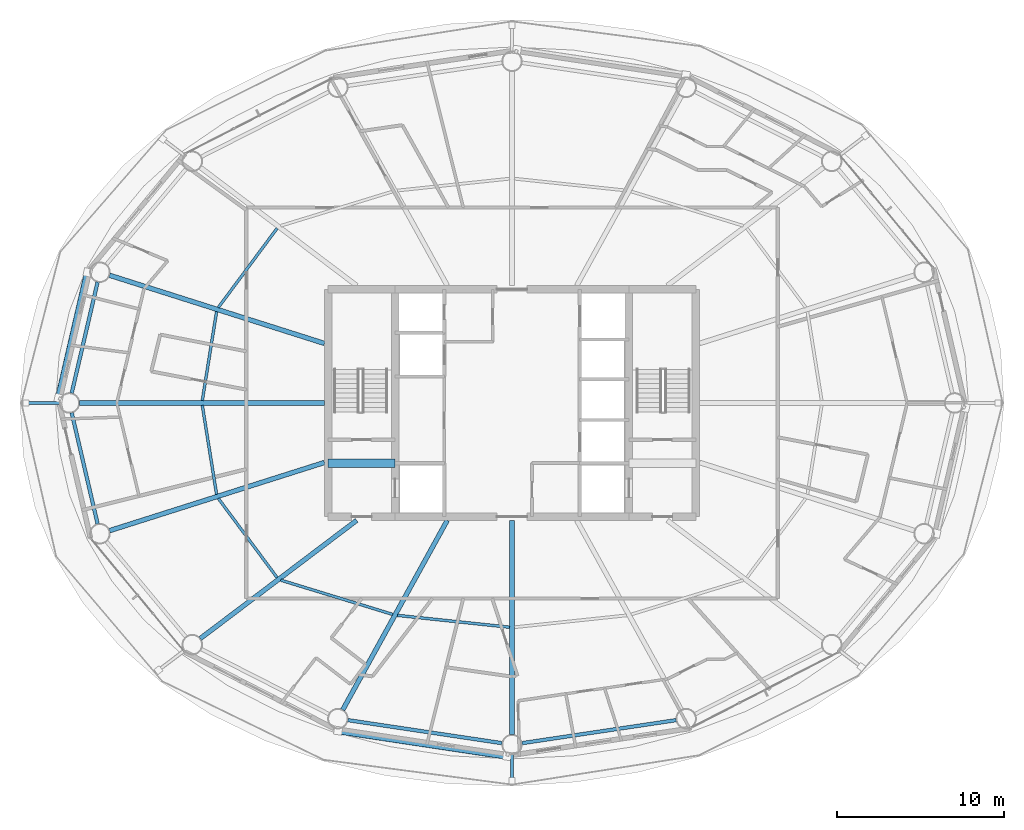
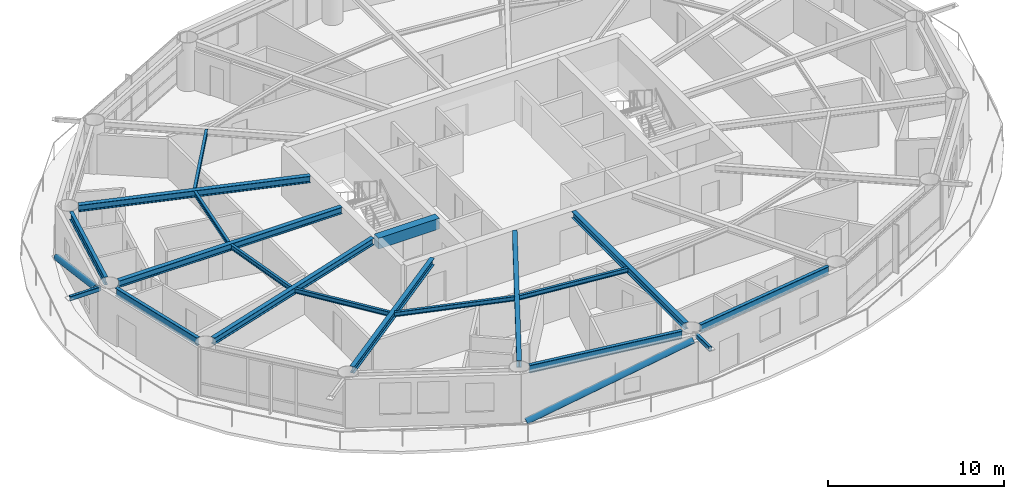
# One storey, part 4 of 28: 17 beams, 4 members.
"""IFC4 building model written with IfcOpenShell, lengths in metres."""

import ifcopenshell
import ifcopenshell.guid

model = None  # the IFC model being written
_history = None  # IfcOwnerHistory: only IFC2X3 demands one
_inside = {}  # id of a spatial element -> (the spatial element, [elements in it])
_under = {}  # id of a project, library or spatial element -> (it, [spatial elements below it])
_declared = {}  # id of a project -> (the project, [libraries it declares])
_typed = {}  # id of a type object -> (the type object, [elements of that type])
_made_of = {}  # id of a material, layer set ... -> (it, [elements and type objects made of it])


def new_model(schema):
    """Start an empty IFC model of exactly this schema.

    Asked for "IFC4X3", IfcOpenShell would pick the latest addendum, in which some entities
    have other attributes; the version numbers below select the first issue.
    IFC2X3 requires an IfcOwnerHistory on every rooted entity: one is made here for all.
    """
    global model, _history
    if schema == "IFC4X3":
        model = ifcopenshell.file(schema_version=(4, 3, 0, 0))
    else:
        model = ifcopenshell.file(schema=schema)
    _inside.clear()
    _under.clear()
    _declared.clear()
    _typed.clear()
    _made_of.clear()
    _history = None
    if model.schema == "IFC2X3":
        org = make("IfcOrganization", Name="unknown")
        user = make(
            "IfcPersonAndOrganization",
            ThePerson=make("IfcPerson", FamilyName="unknown"),
            TheOrganization=org,
        )
        app = make(
            "IfcApplication",
            ApplicationDeveloper=org,
            Version="unknown",
            ApplicationFullName="unknown",
            ApplicationIdentifier="unknown",
        )
        _history = make(
            "IfcOwnerHistory",
            OwningUser=user,
            OwningApplication=app,
            ChangeAction="ADDED",
            CreationDate=0,
        )
    return model


def make(cls, **values):
    """One entity of the class cls with the attributes given. An attribute that is None is left unset."""
    return model.create_entity(
        cls, **{name: value for name, value in values.items() if value is not None}
    )


def rooted(cls, **values):
    """An entity with a GlobalId (a new one), such as an element, a storey or a relation."""
    return make(cls, GlobalId=ifcopenshell.guid.new(), OwnerHistory=_history, **values)


def si_unit(unit_type, name, prefix=None):
    """IfcSIUnit, for example si_unit("LENGTHUNIT", "METRE", prefix="MILLI")."""
    return make("IfcSIUnit", UnitType=unit_type, Prefix=prefix, Name=name)


def assignment(units):
    """IfcUnitAssignment: the units of a project."""
    return None if units is None else make("IfcUnitAssignment", Units=units)


def point(xyz):
    """IfcCartesianPoint."""
    return None if xyz is None else make("IfcCartesianPoint", Coordinates=xyz)


def direction(xyz):
    """IfcDirection."""
    return None if xyz is None else make("IfcDirection", DirectionRatios=xyz)


def frame(location, z_axis=None, x_axis=None):
    """IfcAxis2Placement3D, a coordinate frame: its origin and axes. An axis left out is left unset."""
    return make(
        "IfcAxis2Placement3D",
        Location=point(location),
        Axis=direction(z_axis),
        RefDirection=direction(x_axis),
    )


def frame_2d(location, x_axis=None):
    """IfcAxis2Placement2D, a coordinate frame in the plane: its origin and x axis."""
    return make(
        "IfcAxis2Placement2D", Location=point(location), RefDirection=direction(x_axis)
    )


def origin():
    """The frame at (0, 0, 0) with its axes left unset."""
    return frame((0.0, 0.0, 0.0))


def origin_2d():
    """The frame at (0, 0) in the plane with its x axis left unset."""
    return frame_2d((0.0, 0.0))


def place(relative_to, where):
    """IfcLocalPlacement: puts the frame where relative to a parent placement (None: the world)."""
    return make(
        "IfcLocalPlacement", PlacementRelTo=relative_to, RelativePlacement=where
    )


def context(
    kind, dimensions, precision=None, world=None, true_north=None, identifier=None
):
    """IfcGeometricRepresentationContext, for example the 3D "Model" context."""
    return make(
        "IfcGeometricRepresentationContext",
        ContextIdentifier=identifier,
        ContextType=kind,
        CoordinateSpaceDimension=dimensions,
        Precision=precision,
        WorldCoordinateSystem=world,
        TrueNorth=true_north,
    )


def subcontext(parent, identifier, kind, view, scale=None):
    """IfcGeometricRepresentationSubContext, for example "Body" below "Model"."""
    return make(
        "IfcGeometricRepresentationSubContext",
        ContextIdentifier=identifier,
        ContextType=kind,
        ParentContext=parent,
        TargetScale=scale,
        TargetView=view,
    )


def project(units=None, contexts=None):
    """IfcProject with its units and contexts."""
    return rooted(
        "IfcProject",
        Name="project",
        RepresentationContexts=contexts,
        UnitsInContext=assignment(units),
    )


def spatial(cls, under=None, at=None, **own):
    """A site, building, storey or space (cls), placed at a placement, below another one or the project."""
    s = rooted(cls, ObjectPlacement=at, **own)
    if under is not None:
        _under.setdefault(under.id(), (under, []))[1].append(s)
    return s


def profile(cls, at=None, kind="AREA", **sizes):
    """A parametric profile (cls). Its sizes go by their IFC names, for example OverallWidth=200.0."""
    return make(cls, ProfileType=kind, Position=at, **sizes)


def rectangle(**sizes):
    """IfcRectangleProfileDef."""
    return profile("IfcRectangleProfileDef", **sizes)


def hollow_rectangle(**sizes):
    """IfcRectangleHollowProfileDef."""
    return profile("IfcRectangleHollowProfileDef", **sizes)


def hollow_circle(**sizes):
    """IfcCircleHollowProfileDef."""
    return profile("IfcCircleHollowProfileDef", **sizes)


def i_section(**sizes):
    """IfcIShapeProfileDef."""
    return profile("IfcIShapeProfileDef", **sizes)


def extrude(swept, where, along, depth):
    """IfcExtrudedAreaSolid: the profile swept, set in the frame where, extruded along a direction by depth."""
    return make(
        "IfcExtrudedAreaSolid",
        SweptArea=swept,
        Position=where,
        ExtrudedDirection=direction(along),
        Depth=depth,
    )


def shape(context_of_items, identifier, shape_type, items):
    """IfcShapeRepresentation: the items that make up one representation, for example the "Body"."""
    return make(
        "IfcShapeRepresentation",
        ContextOfItems=context_of_items,
        RepresentationIdentifier=identifier,
        RepresentationType=shape_type,
        Items=items,
    )


def material(Name=None, Category=None):
    """IfcMaterial."""
    return make("IfcMaterial", Name=Name, Category=Category)


def material_profile(
    of_material, cross_section, Name=None, Category=None, Priority=None
):
    """IfcMaterialProfile: a cross section and its material."""
    return make(
        "IfcMaterialProfile",
        Name=Name,
        Material=of_material,
        Profile=cross_section,
        Priority=Priority,
        Category=Category,
    )


def profile_set(profiles, Name=None, composite=None):
    """IfcMaterialProfileSet."""
    return make(
        "IfcMaterialProfileSet",
        Name=Name,
        MaterialProfiles=profiles,
        CompositeProfile=composite,
    )


def made_of(thing, what):
    """Note that an element or type object is made of a material, layer set ...; save() writes the relation."""
    if what is not None:
        _made_of.setdefault(what.id(), (what, []))[1].append(thing)
    return thing


def type_object(cls, material=None, **own):
    """A type object (cls), such as IfcWallType, which elements share."""
    return made_of(rooted(cls, **own), material)


def element(
    cls,
    number,
    at=None,
    inside=None,
    cuts=None,
    type_object=None,
    material=None,
    context=None,
    identifier="Body",
    shape_type=None,
    held_by="IfcProductDefinitionShape",
    body=None,
    shapes=None,
    **own,
):
    """One element of the class cls, such as IfcWall. Its Tag is "e" and its number.

    at: its placement. inside: the storey or other place that contains it. cuts: it is an
    opening in that element (IfcRelVoidsElement). A single representation is given by context,
    identifier, shape_type and body (its items); several are given by shapes. held_by: the class
    of the entity that holds the representations. save() writes the other relations.
    """
    e = rooted(cls, Tag="e%d" % number, ObjectPlacement=at, **own)
    if body is not None:
        shapes = [shape(context, identifier, shape_type, body)]
    if shapes is not None:
        e.Representation = make(held_by, Representations=shapes)
    if inside is not None:
        _inside.setdefault(inside.id(), (inside, []))[1].append(e)
    if cuts is not None:
        rooted(
            "IfcRelVoidsElement", RelatingBuildingElement=cuts, RelatedOpeningElement=e
        )
    if type_object is not None:
        _typed.setdefault(type_object.id(), (type_object, []))[1].append(e)
    return made_of(e, material)


def aggregate(whole, parts):
    """IfcRelAggregates: a whole, such as a stair, and the parts it consists of."""
    return rooted("IfcRelAggregates", RelatingObject=whole, RelatedObjects=parts)


def save(model, path):
    """Write the relations noted so far, then the file.

    IfcRelAggregates (storeys below a building ...), IfcRelContainedInSpatialStructure (elements
    in a storey), IfcRelDefinesByType, IfcRelAssociatesMaterial and IfcRelDeclares: one each for
    every whole, place, type object, material and project.
    """
    for whole, parts in _under.values():
        aggregate(whole, parts)
    for where, things in _inside.values():
        rooted(
            "IfcRelContainedInSpatialStructure",
            RelatedElements=things,
            RelatingStructure=where,
        )
    for kind, things in _typed.values():
        rooted("IfcRelDefinesByType", RelatedObjects=things, RelatingType=kind)
    for what, things in _made_of.values():
        rooted("IfcRelAssociatesMaterial", RelatedObjects=things, RelatingMaterial=what)
    for by, libraries in _declared.values():
        rooted("IfcRelDeclares", RelatingContext=by, RelatedDefinitions=libraries)
    model.write(path)


model = new_model("IFC4")

# Units and contexts
model_context = context("Model", 3, precision=1e-05, world=origin(), true_north=direction((0.0, 1.0)))
body_context = subcontext(model_context, "Body", "Model", "MODEL_VIEW")
ifc_project = project(units=[si_unit("LENGTHUNIT", "METRE"), si_unit("AREAUNIT", "SQUARE_METRE"), si_unit("VOLUMEUNIT", "CUBIC_METRE"), si_unit("PLANEANGLEUNIT", "RADIAN"), si_unit("MASSUNIT", "GRAM", prefix="KILO")], contexts=[model_context])

# Site, building, storey
site_placement = place(None, origin())
site = spatial("IfcSite", under=ifc_project, at=site_placement, CompositionType="ELEMENT")
building_placement = place(site_placement, origin())
building = spatial("IfcBuilding", under=site, at=building_placement, Name="Sarneth Arch Tower", CompositionType="ELEMENT")
storey_placement = place(building_placement, frame((0.0, 0.0, 183.0)))
storey = spatial("IfcBuildingStorey", under=building, at=storey_placement, Name="L46", CompositionType="ELEMENT", Elevation=183.0)

# Beams
ifc_material_1 = material(Name="Steel S355", Category="steel")
ifc_material_profile_1 = material_profile(ifc_material_1, i_section(OverallWidth=0.1669921875, OverallDepth=0.31689453125, WebThickness=0.007568359375, FlangeThickness=0.01318359375, FilletRadius=0.012939453125, at=origin_2d()), Name="W310x52")
ifc_profile_set_1 = profile_set([ifc_material_profile_1], Name="Steel S355")
beam_type_1 = type_object("IfcBeamType", Name="BM-JOIST-310B", PredefinedType="JOIST", material=ifc_profile_set_1)
beam_1_placement = place(storey_placement, frame((33.941162109375, 52.449462890625, 3.221435546875), z_axis=(-0.596190586674, -0.802842938788, 0.0), x_axis=(0.802842938788, -0.596190586674, 0.0)))
element("IfcBeam", 1, at=beam_1_placement, inside=storey, type_object=beam_type_1, Name="L46 Secondary floor joist 07", PredefinedType="JOIST", context=body_context, shape_type="SweptSolid", body=[
    extrude(i_section(OverallWidth=0.1669921875, OverallDepth=0.31689453125, WebThickness=0.007568359375, FlangeThickness=0.01318359375, FilletRadius=0.012939453125, at=origin_2d()), origin(), (0.0, 0.0, 1.0), 5.896484375),
])
for number, where, z_axis, x_axis, name in (
    (2, (30.3203125, 47.46484375, 3.221435546875), (-0.158348792374, -0.987383238643, 0.0), (0.987383238643, -0.158348792374, 0.0), "L46 Secondary floor joist 08"),
    (3, (29.466064453125, 41.86181640625, 3.221435546875), (0.158348792374, -0.987383238643, 0.0), (0.987383238643, 0.158348792374, 0.0), "L46 Secondary floor joist 09"),
):
    element("IfcBeam", number, at=place(storey_placement, frame(where, z_axis=z_axis, x_axis=x_axis)), inside=storey, type_object=beam_type_1, Name=name, PredefinedType="JOIST", context=body_context, shape_type="SweptSolid", body=[
        extrude(i_section(OverallWidth=0.1669921875, OverallDepth=0.31689453125, WebThickness=0.007568359375, FlangeThickness=0.01318359375, FilletRadius=0.012939453125, at=origin_2d()), origin(), (0.0, 0.0, 1.0), 5.394775390625),
    ])
beam_2_placement = place(storey_placement, frame((30.42578125, 36.284423828125, 3.221435546875), z_axis=(0.596190586674, -0.802842938788, 0.0), x_axis=(0.802842938788, 0.596190586674, 0.0)))
element("IfcBeam", 4, at=beam_2_placement, inside=storey, type_object=beam_type_1, Name="L46 Secondary floor joist 10", PredefinedType="JOIST", context=body_context, shape_type="SweptSolid", body=[
    extrude(i_section(OverallWidth=0.1669921875, OverallDepth=0.31689453125, WebThickness=0.007568359375, FlangeThickness=0.01318359375, FilletRadius=0.012939453125, at=origin_2d()), origin(), (0.0, 0.0, 1.0), 5.896484375),
])
beam_3_placement = place(storey_placement, frame((34.15869140625, 31.397216796875, 3.221435546875), z_axis=(0.956178669891, -0.292783796076, 0.0), x_axis=(0.292783796076, 0.956178669891, 0.0)))
element("IfcBeam", 5, at=beam_3_placement, inside=storey, type_object=beam_type_1, Name="L46 Secondary floor joist 11", PredefinedType="JOIST", context=body_context, shape_type="SweptSolid", body=[
    extrude(i_section(OverallWidth=0.1669921875, OverallDepth=0.31689453125, WebThickness=0.007568359375, FlangeThickness=0.01318359375, FilletRadius=0.012939453125, at=origin_2d()), origin(), (0.0, 0.0, 1.0), 7.010986328125),
])
beam_4_placement = place(storey_placement, frame((41.1357421875, 29.288818359375, 3.221435546875), z_axis=(0.994447340543, -0.105235387994, 0.0), x_axis=(0.105235387994, 0.994447340543, 0.0)))
element("IfcBeam", 6, at=beam_4_placement, inside=storey, type_object=beam_type_1, Name="L46 Secondary floor joist 12", PredefinedType="JOIST", context=body_context, shape_type="SweptSolid", body=[
    extrude(i_section(OverallWidth=0.1669921875, OverallDepth=0.31689453125, WebThickness=0.007568359375, FlangeThickness=0.01318359375, FilletRadius=0.012939453125, at=origin_2d()), origin(), (0.0, 0.0, 1.0), 6.7626953125),
])
ifc_material_2 = material(Name="Concrete C50/60", Category="concrete")
ifc_material_profile_2 = material_profile(ifc_material_2, rectangle(XDim=0.5, YDim=0.75, at=origin_2d()), Name="RC-500x750")
ifc_profile_set_2 = profile_set([ifc_material_profile_2], Name="Concrete C50/60")
beam_type_2 = type_object("IfcBeamType", Name="BM-LINTEL-RC", PredefinedType="LINTEL", material=ifc_profile_set_2)
beam_5_placement = place(storey_placement, frame((37.0, 38.39990234375, 3.0048828125), z_axis=(1.0, 0.0, 0.0), x_axis=(0.0, 1.0, 0.0)))
element("IfcBeam", 7, at=beam_5_placement, inside=storey, type_object=beam_type_2, Name="L46 Core coupling lintel W", PredefinedType="LINTEL", context=body_context, shape_type="SweptSolid", body=[
    extrude(rectangle(XDim=0.5, YDim=0.75, at=origin_2d()), origin(), (0.0, 0.0, 1.0), 4.0),
])
ifc_material_3 = material(Name="Steel S355", Category="steel")
ifc_material_profile_3 = material_profile(ifc_material_3, i_section(OverallWidth=0.280029296875, OverallDepth=0.462890625, WebThickness=0.0107421875, FlangeThickness=0.017333984375, FilletRadius=0.01806640625, at=origin_2d()), Name="W460x113")
ifc_profile_set_3 = profile_set([ifc_material_profile_3], Name="Steel S355")
beam_type_3 = type_object("IfcBeamType", Name="BM-RAD-460A", PredefinedType="BEAM", material=ifc_profile_set_3)
beam_6_placement = place(storey_placement, frame((36.77490234375, 45.56201171875, 3.1484375), z_axis=(-0.95316541071, 0.30244949963, 0.0), x_axis=(-0.30244949963, -0.95316541071, 0.0)))
element("IfcBeam", 8, at=beam_6_placement, inside=storey, type_object=beam_type_3, Name="L46 Radial floor girder 08", PredefinedType="BEAM", context=body_context, shape_type="SweptSolid", body=[
    extrude(i_section(OverallWidth=0.280029296875, OverallDepth=0.462890625, WebThickness=0.0107421875, FlangeThickness=0.017333984375, FilletRadius=0.01806640625, at=origin_2d()), origin(), (0.0, 0.0, 1.0), 13.497314453125),
])
beam_7_placement = place(storey_placement, frame((36.77490234375, 42.0, 3.1484375), z_axis=(-1.0, 0.0, 0.0), x_axis=(0.0, -1.0, 0.0)))
element("IfcBeam", 9, at=beam_7_placement, inside=storey, type_object=beam_type_3, Name="L46 Radial floor girder 09", PredefinedType="BEAM", context=body_context, shape_type="SweptSolid", body=[
    extrude(i_section(OverallWidth=0.280029296875, OverallDepth=0.462890625, WebThickness=0.0107421875, FlangeThickness=0.017333984375, FilletRadius=0.01806640625, at=origin_2d()), origin(), (0.0, 0.0, 1.0), 14.661865234375),
])
beam_8_placement = place(storey_placement, frame((36.77490234375, 38.43798828125, 3.1484375), z_axis=(-0.95316541071, -0.30244949963, 0.0), x_axis=(0.30244949963, -0.95316541071, 0.0)))
element("IfcBeam", 10, at=beam_8_placement, inside=storey, type_object=beam_type_3, Name="L46 Radial floor girder 10", PredefinedType="BEAM", context=body_context, shape_type="SweptSolid", body=[
    extrude(i_section(OverallWidth=0.280029296875, OverallDepth=0.462890625, WebThickness=0.0107421875, FlangeThickness=0.017333984375, FilletRadius=0.01806640625, at=origin_2d()), origin(), (0.0, 0.0, 1.0), 13.497314453125),
])
beam_9_placement = place(storey_placement, frame((38.70458984375, 34.97509765625, 3.1484375), z_axis=(-0.797784574467, -0.602942594898, 0.0), x_axis=(0.602942594898, -0.797784574467, 0.0)))
element("IfcBeam", 11, at=beam_9_placement, inside=storey, type_object=beam_type_3, Name="L46 Radial floor girder 11", PredefinedType="BEAM", context=body_context, shape_type="SweptSolid", body=[
    extrude(i_section(OverallWidth=0.280029296875, OverallDepth=0.462890625, WebThickness=0.0107421875, FlangeThickness=0.017333984375, FilletRadius=0.01806640625, at=origin_2d()), origin(), (0.0, 0.0, 1.0), 11.73193359375),
])
beam_10_placement = place(storey_placement, frame((44.125, 34.97509765625, 3.1484375), z_axis=(-0.483010082599, -0.875614789795, 0.0), x_axis=(0.875614789795, -0.483010082599, 0.0)))
element("IfcBeam", 12, at=beam_10_placement, inside=storey, type_object=beam_type_3, Name="L46 Radial floor girder 12", PredefinedType="BEAM", context=body_context, shape_type="SweptSolid", body=[
    extrude(i_section(OverallWidth=0.280029296875, OverallDepth=0.462890625, WebThickness=0.0107421875, FlangeThickness=0.017333984375, FilletRadius=0.01806640625, at=origin_2d()), origin(), (0.0, 0.0, 1.0), 12.954345703125),
])
beam_11_placement = place(storey_placement, frame((48.0, 34.97509765625, 3.1484375), z_axis=(0.0, -1.0, 0.0), x_axis=(1.0, 0.0, 0.0)))
element("IfcBeam", 13, at=beam_11_placement, inside=storey, type_object=beam_type_3, Name="L46 Radial floor girder 13", PredefinedType="BEAM", context=body_context, shape_type="SweptSolid", body=[
    extrude(i_section(OverallWidth=0.280029296875, OverallDepth=0.462890625, WebThickness=0.0107421875, FlangeThickness=0.017333984375, FilletRadius=0.01806640625, at=origin_2d()), origin(), (0.0, 0.0, 1.0), 12.8251953125),
])
ifc_material_4 = material(Name="Steel S355", Category="steel")
ifc_material_profile_4 = material_profile(ifc_material_4, i_section(OverallWidth=0.214111328125, OverallDepth=0.549072265625, WebThickness=0.0146484375, FlangeThickness=0.023681640625, FilletRadius=0.01806640625, at=origin_2d()), Name="W530x138")
ifc_profile_set_4 = profile_set([ifc_material_profile_4], Name="Steel S355")
beam_type_4 = type_object("IfcBeamType", Name="BM-RAD-530A", PredefinedType="BEAM", material=ifc_profile_set_4)
for number, where, z_axis, x_axis, name in (
    (14, (23.20166015625, 49.241455078125, 3.10546875), (-0.227109937572, -0.973869126863, 0.0), (0.973869126863, -0.227109937572, 0.0), "L46 Perimeter spandrel beam 08"),
    (15, (21.649169921875, 41.415771484375, 3.10546875), (0.227109937572, -0.973869126863, 0.0), (0.973869126863, 0.227109937572, 0.0), "L46 Perimeter spandrel beam 09"),
):
    element("IfcBeam", number, at=place(storey_placement, frame(where, z_axis=z_axis, x_axis=x_axis)), inside=storey, type_object=beam_type_4, Name=name, PredefinedType="BEAM", context=body_context, shape_type="SweptSolid", body=[
        extrude(i_section(OverallWidth=0.214111328125, OverallDepth=0.549072265625, WebThickness=0.0146484375, FlangeThickness=0.023681640625, FilletRadius=0.01806640625, at=origin_2d()), origin(), (0.0, 0.0, 1.0), 6.8359375),
    ])
for number, where, z_axis, x_axis, name in (
    (16, (38.171630859375, 23.01806640625, 3.10546875), (0.98902783755, -0.147729267756, 0.0), (0.147729267756, 0.98902783755, 0.0), "L46 Perimeter spandrel beam 12"),
    (17, (48.593505859375, 21.638671875, 3.10546875), (0.98902783755, 0.147729267756, 0.0), (-0.147729267756, 0.98902783755, 0.0), "L46 Perimeter spandrel beam 13"),
):
    element("IfcBeam", number, at=place(storey_placement, frame(where, z_axis=z_axis, x_axis=x_axis)), inside=storey, type_object=beam_type_4, Name=name, PredefinedType="BEAM", context=body_context, shape_type="SweptSolid", body=[
        extrude(i_section(OverallWidth=0.214111328125, OverallDepth=0.549072265625, WebThickness=0.0146484375, FlangeThickness=0.023681640625, FilletRadius=0.01806640625, at=origin_2d()), origin(), (0.0, 0.0, 1.0), 9.33740234375),
    ])

# Members
ifc_material_5 = material(Name="Steel S355", Category="steel")
ifc_material_profile_5 = material_profile(ifc_material_5, hollow_rectangle(XDim=0.199951171875, YDim=0.300048828125, WallThickness=0.012451171875, InnerFilletRadius=0.018798828125, OuterFilletRadius=0.03125, at=origin_2d()), Name="RHS300x200x12.5")
ifc_profile_set_5 = profile_set([ifc_material_profile_5], Name="Steel S355")
member_type_1 = type_object("IfcMemberType", Name="MEM-CANT-STRUT", PredefinedType="STRUT", material=ifc_profile_set_5)
member_1_placement = place(storey_placement, frame((20.9130859375, 42.0, 3.219970703125), z_axis=(-1.0, 0.0, 0.0), x_axis=(0.0, -1.0, 0.0)))
element("IfcMember", 18, at=member_1_placement, inside=storey, type_object=member_type_1, Name="L46 Balcony cantilever bracket 09", PredefinedType="STRUT", context=body_context, shape_type="SweptSolid", body=[
    extrude(hollow_rectangle(XDim=0.199951171875, YDim=0.300048828125, WallThickness=0.012451171875, InnerFilletRadius=0.018798828125, OuterFilletRadius=0.03125, at=origin_2d()), origin(), (0.0, 0.0, 1.0), 1.99755859375),
])
member_2_placement = place(storey_placement, frame((48.0, 20.949951171875, 3.219970703125), z_axis=(0.0, -1.0, 0.0), x_axis=(1.0, 0.0, 0.0)))
element("IfcMember", 19, at=member_2_placement, inside=storey, type_object=member_type_1, Name="L46 Balcony cantilever bracket 13", PredefinedType="STRUT", context=body_context, shape_type="SweptSolid", body=[
    extrude(hollow_rectangle(XDim=0.199951171875, YDim=0.300048828125, WallThickness=0.012451171875, InnerFilletRadius=0.018798828125, OuterFilletRadius=0.03125, at=origin_2d()), origin(), (0.0, 0.0, 1.0), 1.552490234375),
])
ifc_material_6 = material(Name="Steel S355", Category="steel")
ifc_material_profile_6 = material_profile(ifc_material_6, hollow_circle(Radius=0.202880859375, WallThickness=0.01611328125, at=origin_2d()), Name="CHS406x16")
ifc_profile_set_6 = profile_set([ifc_material_profile_6], Name="Steel S355")
member_type_2 = type_object("IfcMemberType", Name="MEM-DIAG-BR2", PredefinedType="BRACE", material=ifc_profile_set_6)
member_3_placement = place(storey_placement, frame((22.609619140625, 49.81298828125, 0.02001953125), z_axis=(-0.209646277215, -0.90691666474, 0.365445757488), x_axis=(0.974306903917, -0.225224459107, 0.0)))
element("IfcMember", 20, at=member_3_placement, inside=storey, type_object=member_type_2, Name="L46 Perimeter frame diagonal 08", PredefinedType="BRACE", context=body_context, shape_type="SweptSolid", body=[
    extrude(hollow_circle(Radius=0.202880859375, WallThickness=0.01611328125, at=origin_2d()), origin(), (0.0, 0.0, 1.0), 8.292724609375),
])
member_4_placement = place(storey_placement, frame((37.595703125, 22.387451171875, 0.02001953125), z_axis=(0.948052912183, -0.142822782379, 0.284248708942), x_axis=(0.148967610144, 0.988842075929, 0.0)))
element("IfcMember", 21, at=member_4_placement, inside=storey, type_object=member_type_2, Name="L46 Perimeter frame diagonal 12", PredefinedType="BRACE", context=body_context, shape_type="SweptSolid", body=[
    extrude(hollow_circle(Radius=0.202880859375, WallThickness=0.01611328125, at=origin_2d()), origin(), (0.0, 0.0, 1.0), 10.66162109375),
])

save(model, "model.ifc")
